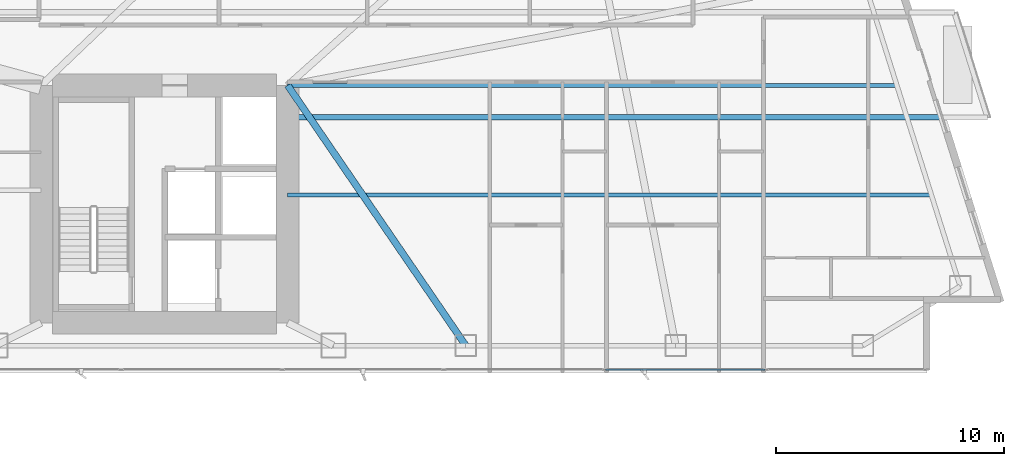
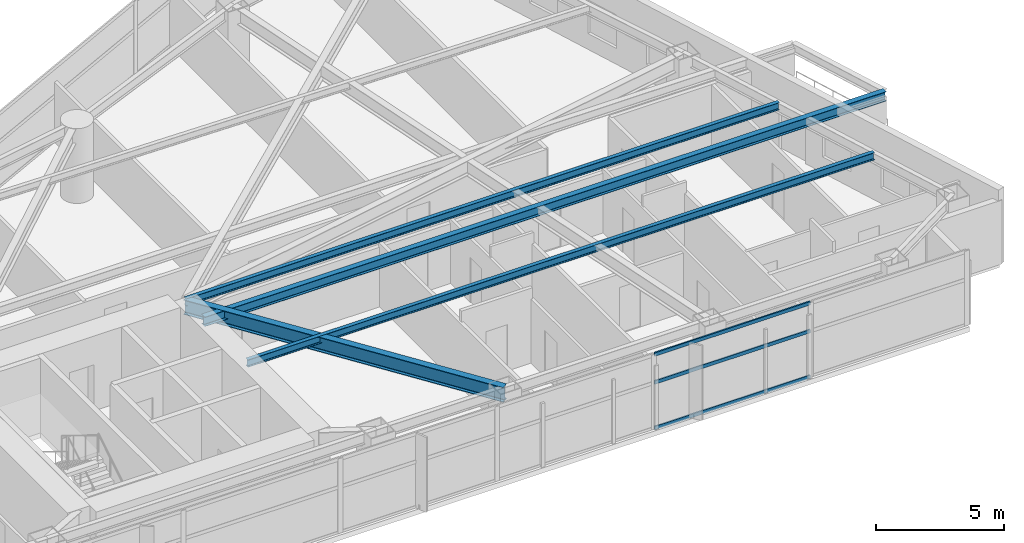
# One storey, part 13 of 29: 4 beams, 3 members, 1 element without a shape of its own.
"""IFC4 building model written with IfcOpenShell, lengths in metres."""

from ifc_helpers import new_model, si_unit, direction, frame, origin, origin_2d, place, context, subcontext, project, spatial, hollow_rectangle, i_section, extrude, material, layer, layer_set, material_profile, profile_set, type_object, element, aggregate, save


model = new_model("IFC4")

# Units and contexts
model_context = context("Model", 3, precision=1e-05, world=origin(), true_north=direction((0.0, 1.0)))
body_context = subcontext(model_context, "Body", "Model", "MODEL_VIEW")
ifc_project = project(units=[si_unit("LENGTHUNIT", "METRE"), si_unit("AREAUNIT", "SQUARE_METRE"), si_unit("VOLUMEUNIT", "CUBIC_METRE"), si_unit("PLANEANGLEUNIT", "RADIAN"), si_unit("MASSUNIT", "GRAM", prefix="KILO")], contexts=[model_context])

# Site, building, storey
site_placement = place(None, origin())
site = spatial("IfcSite", under=ifc_project, at=site_placement, CompositionType="ELEMENT")
building_placement = place(site_placement, origin())
building = spatial("IfcBuilding", under=site, at=building_placement, Name="Calvorn Quay Hotel", CompositionType="ELEMENT")
storey_placement = place(building_placement, frame((0.0, 0.0, 81.199951171875)))
storey = spatial("IfcBuildingStorey", under=building, at=storey_placement, Name="L19", CompositionType="ELEMENT", Elevation=81.199951171875)

# Beams
ifc_material_1 = material(Name="Steel Q355B", Category="steel")
ifc_material_profile_1 = material_profile(ifc_material_1, i_section(OverallWidth=0.25, OverallDepth=0.449951171875, WebThickness=0.011962890625, FlangeThickness=0.01611328125, FilletRadius=0.01611328125, at=origin_2d()), Name="HN450x250x12x16")
ifc_profile_set_1 = profile_set([ifc_material_profile_1], Name="Steel Q355B")
beam_type_1 = type_object("IfcBeamType", Name="BM-CANT-BALC", PredefinedType="BEAM", material=ifc_profile_set_1)
beam_1_placement = place(storey_placement, frame((32.39990234375, 13.60009765625, 3.31494140625), z_axis=(1.0, 0.0, 0.0), x_axis=(0.0, 1.0, 0.0)))
element("IfcBeam", 1, at=beam_1_placement, inside=storey, type_object=beam_type_1, Name="Cantilever Balcony Beam BCB-L20-1A", PredefinedType="BEAM", context=body_context, shape_type="SweptSolid", body=[
    extrude(i_section(OverallWidth=0.25, OverallDepth=0.449951171875, WebThickness=0.011962890625, FlangeThickness=0.01611328125, FilletRadius=0.01611328125, at=origin_2d()), origin(), (0.0, 0.0, 1.0), 30.669189453125),
])
ifc_material_2 = material(Name="Steel Q390GJC", Category="steel")
ifc_material_profile_2 = material_profile(ifc_material_2, i_section(OverallWidth=0.300048828125, OverallDepth=0.699951171875, WebThickness=0.012939453125, FlangeThickness=0.02392578125, FilletRadius=0.02392578125, at=origin_2d()), Name="HN700x300x13x24")
ifc_profile_set_2 = profile_set([ifc_material_profile_2], Name="Steel Q390GJC")
beam_type_2 = type_object("IfcBeamType", Name="BM-GIRD-MAIN", PredefinedType="BEAM", material=ifc_profile_set_2)
beam_2_placement = place(storey_placement, frame((40.199951171875, 3.60009765625, 3.18994140625), z_axis=(-0.564689618177, 0.825303359452, 0.0), x_axis=(-0.825303359452, -0.564689618177, 0.0)))
element("IfcBeam", 2, at=beam_2_placement, inside=storey, type_object=beam_type_2, Name="Beam BG-L19-E6", PredefinedType="BEAM", context=body_context, shape_type="SweptSolid", body=[
    extrude(i_section(OverallWidth=0.300048828125, OverallDepth=0.699951171875, WebThickness=0.012939453125, FlangeThickness=0.02392578125, FilletRadius=0.02392578125, at=origin_2d()), origin(), (0.0, 0.0, 1.0), 13.81298828125),
])
ifc_material_3 = material(Name="Steel Q355B", Category="steel")
ifc_material_profile_3 = material_profile(ifc_material_3, i_section(OverallWidth=0.175048828125, OverallDepth=0.35009765625, WebThickness=0.007080078125, FlangeThickness=0.010986328125, FilletRadius=0.013916015625, at=origin_2d()), Name="HN350x175x7x11")
ifc_profile_set_3 = profile_set([ifc_material_profile_3], Name="Steel Q355B")
beam_type_3 = type_object("IfcBeamType", Name="BM-JOIST-SEC", PredefinedType="JOIST", material=ifc_profile_set_3)
beam_3_placement = place(storey_placement, frame((32.39990234375, 10.199951171875, 3.364990234375), z_axis=(1.0, 0.0, 0.0), x_axis=(0.0, 1.0, 0.0)))
element("IfcBeam", 3, at=beam_3_placement, inside=storey, type_object=beam_type_3, Name="Beam BJ-L19-E1", PredefinedType="JOIST", context=body_context, shape_type="SweptSolid", body=[
    extrude(i_section(OverallWidth=0.175048828125, OverallDepth=0.35009765625, WebThickness=0.007080078125, FlangeThickness=0.010986328125, FilletRadius=0.013916015625, at=origin_2d()), origin(), (0.0, 0.0, 1.0), 28.201171875),
])
beam_4_placement = place(storey_placement, frame((32.39990234375, 15.0, 3.364990234375), z_axis=(1.0, 0.0, 0.0), x_axis=(0.0, 1.0, 0.0)))
element("IfcBeam", 4, at=beam_4_placement, inside=storey, type_object=beam_type_3, Name="Beam BJ-L19-E2", PredefinedType="JOIST", context=body_context, shape_type="SweptSolid", body=[
    extrude(i_section(OverallWidth=0.175048828125, OverallDepth=0.35009765625, WebThickness=0.007080078125, FlangeThickness=0.010986328125, FilletRadius=0.013916015625, at=origin_2d()), origin(), (0.0, 0.0, 1.0), 26.68798828125),
])

# Curtain wall, members
ifc_material_4 = material(Name="Pale Anodised Aluminium and Low-E Glass", Category="aluminium")
ifc_layer = layer(ifc_material_4, 0.219970703125)
ifc_layer_set = layer_set([ifc_layer], Name="CW-SYS-Z1")
curtain_wall_type = type_object("IfcCurtainWallType", Name="CW-SYS-Z1", PredefinedType="NOTDEFINED", material=ifc_layer_set)
curtain_wall_placement = place(storey_placement, origin())
curtain_wall = element("IfcCurtainWall", 5, at=curtain_wall_placement, inside=storey, type_object=curtain_wall_type, Name="Tower South Waterfront Curtain Wall (L19)", PredefinedType="NOTDEFINED")
ifc_material_5 = material(Name="Pale Anodised Aluminium 6063-T6", Category="aluminium")
ifc_material_profile_4 = material_profile(ifc_material_5, hollow_rectangle(XDim=0.06494140625, YDim=0.1650390625, WallThickness=0.00341796875, at=origin_2d()), Name="ALU-T165x65x3.5")
ifc_profile_set_4 = profile_set([ifc_material_profile_4], Name="Pale Anodised Aluminium 6063-T6")
member_type = type_object("IfcMemberType", Name="CW-SYS-Z1-TRN", PredefinedType="USERDEFINED", material=ifc_profile_set_4)
member_1_placement = place(storey_placement, frame((46.315673828125, 2.550048828125, 0.030029296875), z_axis=(1.0, 0.0, 0.0), x_axis=(0.0, 1.0, 0.0)))
member_1 = element("IfcMember", 6, at=member_1_placement, type_object=member_type, Name="CW-L19-S transom 6.1", ObjectType="TRANSOM", PredefinedType="USERDEFINED", context=body_context, shape_type="SweptSolid", body=[
    extrude(hollow_rectangle(XDim=0.06494140625, YDim=0.1650390625, WallThickness=0.00341796875, at=origin_2d()), origin(), (0.0, 0.0, 1.0), 6.9970703125),
])
member_2_placement = place(storey_placement, frame((46.315673828125, 2.550048828125, 2.199951171875), z_axis=(1.0, 0.0, 0.0), x_axis=(0.0, 1.0, 0.0)))
member_2 = element("IfcMember", 7, at=member_2_placement, type_object=member_type, Name="CW-L19-S transom 6.2", ObjectType="TRANSOM", PredefinedType="USERDEFINED", context=body_context, shape_type="SweptSolid", body=[
    extrude(hollow_rectangle(XDim=0.06494140625, YDim=0.1650390625, WallThickness=0.00341796875, at=origin_2d()), origin(), (0.0, 0.0, 1.0), 6.9970703125),
])
member_3_placement = place(storey_placement, frame((46.315673828125, 2.550048828125, 3.530029296875), z_axis=(1.0, 0.0, 0.0), x_axis=(0.0, 1.0, 0.0)))
member_3 = element("IfcMember", 8, at=member_3_placement, type_object=member_type, Name="CW-L19-S transom 6.3", ObjectType="TRANSOM", PredefinedType="USERDEFINED", context=body_context, shape_type="SweptSolid", body=[
    extrude(hollow_rectangle(XDim=0.06494140625, YDim=0.1650390625, WallThickness=0.00341796875, at=origin_2d()), origin(), (0.0, 0.0, 1.0), 6.9970703125),
])
aggregate(curtain_wall, [member_1, member_2, member_3])

save(model, "model.ifc")
